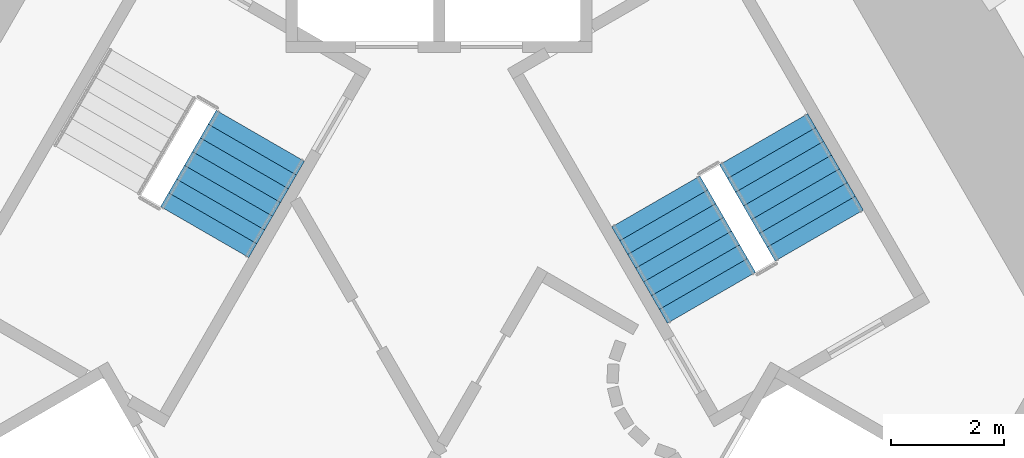
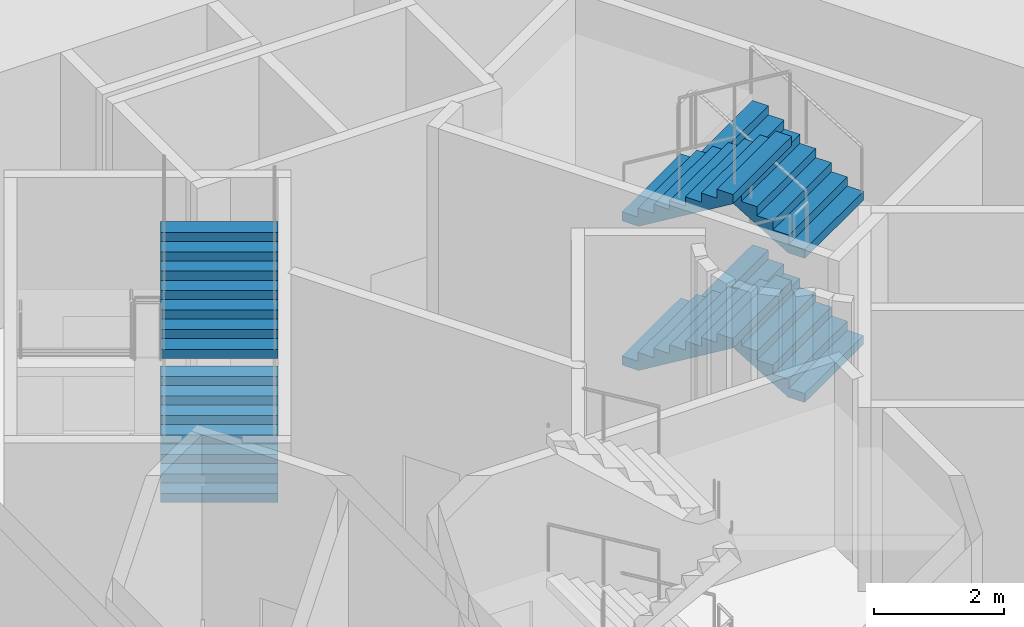
# One storey, part 14 of 21: 6 stair flights, 2 elements without a shape of their own.
"""IFC4 building model written with IfcOpenShell, lengths in metres."""

import ifcopenshell
import ifcopenshell.guid

model = None  # the IFC model being written
_history = None  # IfcOwnerHistory: only IFC2X3 demands one
_inside = {}  # id of a spatial element -> (the spatial element, [elements in it])
_under = {}  # id of a project, library or spatial element -> (it, [spatial elements below it])
_declared = {}  # id of a project -> (the project, [libraries it declares])
_typed = {}  # id of a type object -> (the type object, [elements of that type])
_made_of = {}  # id of a material, layer set ... -> (it, [elements and type objects made of it])


def new_model(schema):
    """Start an empty IFC model of exactly this schema.

    Asked for "IFC4X3", IfcOpenShell would pick the latest addendum, in which some entities
    have other attributes; the version numbers below select the first issue.
    IFC2X3 requires an IfcOwnerHistory on every rooted entity: one is made here for all.
    """
    global model, _history
    if schema == "IFC4X3":
        model = ifcopenshell.file(schema_version=(4, 3, 0, 0))
    else:
        model = ifcopenshell.file(schema=schema)
    _inside.clear()
    _under.clear()
    _declared.clear()
    _typed.clear()
    _made_of.clear()
    _history = None
    if model.schema == "IFC2X3":
        org = make("IfcOrganization", Name="unknown")
        user = make(
            "IfcPersonAndOrganization",
            ThePerson=make("IfcPerson", FamilyName="unknown"),
            TheOrganization=org,
        )
        app = make(
            "IfcApplication",
            ApplicationDeveloper=org,
            Version="unknown",
            ApplicationFullName="unknown",
            ApplicationIdentifier="unknown",
        )
        _history = make(
            "IfcOwnerHistory",
            OwningUser=user,
            OwningApplication=app,
            ChangeAction="ADDED",
            CreationDate=0,
        )
    return model


def make(cls, **values):
    """One entity of the class cls with the attributes given. An attribute that is None is left unset."""
    return model.create_entity(
        cls, **{name: value for name, value in values.items() if value is not None}
    )


def rooted(cls, **values):
    """An entity with a GlobalId (a new one), such as an element, a storey or a relation."""
    return make(cls, GlobalId=ifcopenshell.guid.new(), OwnerHistory=_history, **values)


def si_unit(unit_type, name, prefix=None):
    """IfcSIUnit, for example si_unit("LENGTHUNIT", "METRE", prefix="MILLI")."""
    return make("IfcSIUnit", UnitType=unit_type, Prefix=prefix, Name=name)


def assignment(units):
    """IfcUnitAssignment: the units of a project."""
    return None if units is None else make("IfcUnitAssignment", Units=units)


def point(xyz):
    """IfcCartesianPoint."""
    return None if xyz is None else make("IfcCartesianPoint", Coordinates=xyz)


def direction(xyz):
    """IfcDirection."""
    return None if xyz is None else make("IfcDirection", DirectionRatios=xyz)


def frame(location, z_axis=None, x_axis=None):
    """IfcAxis2Placement3D, a coordinate frame: its origin and axes. An axis left out is left unset."""
    return make(
        "IfcAxis2Placement3D",
        Location=point(location),
        Axis=direction(z_axis),
        RefDirection=direction(x_axis),
    )


def origin():
    """The frame at (0, 0, 0) with its axes left unset."""
    return frame((0.0, 0.0, 0.0))


def place(relative_to, where):
    """IfcLocalPlacement: puts the frame where relative to a parent placement (None: the world)."""
    return make(
        "IfcLocalPlacement", PlacementRelTo=relative_to, RelativePlacement=where
    )


def context(
    kind, dimensions, precision=None, world=None, true_north=None, identifier=None
):
    """IfcGeometricRepresentationContext, for example the 3D "Model" context."""
    return make(
        "IfcGeometricRepresentationContext",
        ContextIdentifier=identifier,
        ContextType=kind,
        CoordinateSpaceDimension=dimensions,
        Precision=precision,
        WorldCoordinateSystem=world,
        TrueNorth=true_north,
    )


def subcontext(parent, identifier, kind, view, scale=None):
    """IfcGeometricRepresentationSubContext, for example "Body" below "Model"."""
    return make(
        "IfcGeometricRepresentationSubContext",
        ContextIdentifier=identifier,
        ContextType=kind,
        ParentContext=parent,
        TargetScale=scale,
        TargetView=view,
    )


def project(units=None, contexts=None):
    """IfcProject with its units and contexts."""
    return rooted(
        "IfcProject",
        Name="project",
        RepresentationContexts=contexts,
        UnitsInContext=assignment(units),
    )


def spatial(cls, under=None, at=None, **own):
    """A site, building, storey or space (cls), placed at a placement, below another one or the project."""
    s = rooted(cls, ObjectPlacement=at, **own)
    if under is not None:
        _under.setdefault(under.id(), (under, []))[1].append(s)
    return s


def point_list(points):
    """IfcCartesianPointList2D or 3D."""
    cls = (
        "IfcCartesianPointList2D" if len(points[0]) == 2 else "IfcCartesianPointList3D"
    )
    return make(cls, CoordList=points)


def triangles(points, corners, closed=None, point_numbers=None):
    """IfcTriangulatedFaceSet: each triangle names its three corners, points numbered from 1."""
    return make(
        "IfcTriangulatedFaceSet",
        Coordinates=point_list(points),
        Closed=closed,
        CoordIndex=corners,
        PnIndex=point_numbers,
    )


def shape(context_of_items, identifier, shape_type, items):
    """IfcShapeRepresentation: the items that make up one representation, for example the "Body"."""
    return make(
        "IfcShapeRepresentation",
        ContextOfItems=context_of_items,
        RepresentationIdentifier=identifier,
        RepresentationType=shape_type,
        Items=items,
    )


def material(Name=None, Category=None):
    """IfcMaterial."""
    return make("IfcMaterial", Name=Name, Category=Category)


def made_of(thing, what):
    """Note that an element or type object is made of a material, layer set ...; save() writes the relation."""
    if what is not None:
        _made_of.setdefault(what.id(), (what, []))[1].append(thing)
    return thing


def type_object(cls, material=None, **own):
    """A type object (cls), such as IfcWallType, which elements share."""
    return made_of(rooted(cls, **own), material)


def element(
    cls,
    number,
    at=None,
    inside=None,
    cuts=None,
    type_object=None,
    material=None,
    context=None,
    identifier="Body",
    shape_type=None,
    held_by="IfcProductDefinitionShape",
    body=None,
    shapes=None,
    **own,
):
    """One element of the class cls, such as IfcWall. Its Tag is "e" and its number.

    at: its placement. inside: the storey or other place that contains it. cuts: it is an
    opening in that element (IfcRelVoidsElement). A single representation is given by context,
    identifier, shape_type and body (its items); several are given by shapes. held_by: the class
    of the entity that holds the representations. save() writes the other relations.
    """
    e = rooted(cls, Tag="e%d" % number, ObjectPlacement=at, **own)
    if body is not None:
        shapes = [shape(context, identifier, shape_type, body)]
    if shapes is not None:
        e.Representation = make(held_by, Representations=shapes)
    if inside is not None:
        _inside.setdefault(inside.id(), (inside, []))[1].append(e)
    if cuts is not None:
        rooted(
            "IfcRelVoidsElement", RelatingBuildingElement=cuts, RelatedOpeningElement=e
        )
    if type_object is not None:
        _typed.setdefault(type_object.id(), (type_object, []))[1].append(e)
    return made_of(e, material)


def aggregate(whole, parts):
    """IfcRelAggregates: a whole, such as a stair, and the parts it consists of."""
    return rooted("IfcRelAggregates", RelatingObject=whole, RelatedObjects=parts)


def save(model, path):
    """Write the relations noted so far, then the file.

    IfcRelAggregates (storeys below a building ...), IfcRelContainedInSpatialStructure (elements
    in a storey), IfcRelDefinesByType, IfcRelAssociatesMaterial and IfcRelDeclares: one each for
    every whole, place, type object, material and project.
    """
    for whole, parts in _under.values():
        aggregate(whole, parts)
    for where, things in _inside.values():
        rooted(
            "IfcRelContainedInSpatialStructure",
            RelatedElements=things,
            RelatingStructure=where,
        )
    for kind, things in _typed.values():
        rooted("IfcRelDefinesByType", RelatedObjects=things, RelatingType=kind)
    for what, things in _made_of.values():
        rooted("IfcRelAssociatesMaterial", RelatedObjects=things, RelatingMaterial=what)
    for by, libraries in _declared.values():
        rooted("IfcRelDeclares", RelatingContext=by, RelatedDefinitions=libraries)
    model.write(path)


model = new_model("IFC4")

# Units and contexts
model_context = context("Model", 3, precision=1e-05, world=origin(), true_north=direction((0.0, 1.0)))
body_context = subcontext(model_context, "Body", "Model", "MODEL_VIEW")
ifc_project = project(units=[si_unit("LENGTHUNIT", "METRE"), si_unit("AREAUNIT", "SQUARE_METRE"), si_unit("VOLUMEUNIT", "CUBIC_METRE"), si_unit("PLANEANGLEUNIT", "RADIAN"), si_unit("MASSUNIT", "GRAM", prefix="KILO")], contexts=[model_context])

# Site, building, storey
site_placement = place(None, origin())
site = spatial("IfcSite", under=ifc_project, at=site_placement, CompositionType="ELEMENT")
building_placement = place(site_placement, origin())
building = spatial("IfcBuilding", under=site, at=building_placement, Name="Entoto Arch Interchange Tower", CompositionType="ELEMENT")
storey_placement = place(building_placement, frame((0.0, 0.0, 236.0)))
storey = spatial("IfcBuildingStorey", under=building, at=storey_placement, Name="L53", CompositionType="ELEMENT", Elevation=236.0)

# Stair, stair flights
ifc_material = material(Name="Concrete C40/50", Category="concrete")
stair_type = type_object("IfcStairType", Name="EXIT STAIR RC 1800", PredefinedType="HALF_TURN_STAIR", material=ifc_material)
stair_1_placement = place(storey_placement, origin())
stair_1 = element("IfcStair", 1, at=stair_1_placement, inside=storey, type_object=stair_type, Name="L53 Exit stair NE", PredefinedType="HALF_TURN_STAIR")
stair_flight_type = type_object("IfcStairFlightType", Name="EXIT STAIR FLIGHT RC 1800", PredefinedType="STRAIGHT", material=ifc_material)
stair_flight_1_placement = place(storey_placement, frame((6.7138671875, 4.470947265625, 0.0), z_axis=(0.0, 0.0, 1.0), x_axis=(-0.5, 0.866025403784, 0.0)))
stair_flight_1 = element("IfcStairFlight", 2, at=stair_flight_1_placement, type_object=stair_flight_type, Name="ST-NE flight 1", NumberOfRisers=8, NumberOfTreads=7, PredefinedType="STRAIGHT", RiserHeight=0.16875, TreadLength=0.28, context=body_context, shape_type="Tessellation", body=[
    triangles([(-0.003, -0.900024, 0.0), (-0.003, -0.900024, 0.16875), (0.28, -0.900024, 0.16875), (0.28, -0.900024, 0.3375), (0.56, -0.900024, 0.3375), (0.56, -0.900024, 0.50625), (0.84, -0.900024, 0.50625), (0.84, -0.900024, 0.675), (1.12, -0.900024, 0.675), (1.12, -0.900024, 0.84375), (1.4, -0.900024, 0.84375), (1.4, -0.900024, 1.0125), (1.68, -0.900024, 1.0125), (1.68, -0.900024, 1.18125), (1.96, -0.900024, 1.18125), (1.963, -0.900024, 1.18125), (1.963, -0.900024, 1.008036), (0.290406, -0.900024, 0.0), (-0.003, 0.900024, 0.0), (-0.003, 0.900024, 0.16875), (0.28, 0.900024, 0.16875), (0.28, 0.900024, 0.3375), (0.56, 0.900024, 0.3375), (0.56, 0.900024, 0.50625), (0.84, 0.900024, 0.50625), (0.84, 0.900024, 0.675), (1.12, 0.900024, 0.675), (1.12, 0.900024, 0.84375), (1.4, 0.900024, 0.84375), (1.4, 0.900024, 1.0125), (1.68, 0.900024, 1.0125), (1.68, 0.900024, 1.18125), (1.96, 0.900024, 1.18125), (1.963, 0.900024, 1.18125), (1.963, 0.900024, 1.008036), (0.290406, 0.900024, 0.0), (-0.003, -0.450012, 0.0), (-0.003, -0.450012, 0.16875), (-0.003, 0.0, 0.0), (-0.003, 0.0, 0.16875), (-0.003, 0.450012, 0.0), (-0.003, 0.450012, 0.16875), (0.28, -0.450012, 0.16875), (0.28, 0.0, 0.16875), (0.28, 0.450012, 0.16875), (0.28, -0.450012, 0.3375), (0.28, 0.0, 0.3375), (0.28, 0.450012, 0.3375), (0.56, -0.450012, 0.3375), (0.56, 0.0, 0.3375), (0.56, 0.450012, 0.3375), (0.56, -0.450012, 0.50625), (0.56, 0.0, 0.50625), (0.56, 0.450012, 0.50625), (0.84, -0.450012, 0.50625), (0.84, 0.0, 0.50625), (0.84, 0.450012, 0.50625), (0.84, -0.450012, 0.675), (0.84, 0.0, 0.675), (0.84, 0.450012, 0.675), (1.12, -0.450012, 0.675), (1.12, 0.0, 0.675), (1.12, 0.450012, 0.675), (1.12, -0.450012, 0.84375), (1.12, 0.0, 0.84375), (1.12, 0.450012, 0.84375), (1.4, -0.450012, 0.84375), (1.4, 0.0, 0.84375), (1.4, 0.450012, 0.84375), (1.4, -0.450012, 1.0125), (1.4, 0.0, 1.0125), (1.4, 0.450012, 1.0125), (1.68, -0.450012, 1.0125), (1.68, 0.0, 1.0125), (1.68, 0.450012, 1.0125), (1.68, -0.450012, 1.18125), (1.68, 0.0, 1.18125), (1.68, 0.450012, 1.18125), (1.96, -0.450012, 1.18125), (1.96, 0.0, 1.18125), (1.96, 0.450012, 1.18125), (1.963, -0.450012, 1.18125), (1.963, 0.0, 1.18125), (1.963, 0.450012, 1.18125), (1.963, -0.450012, 1.008036), (1.963, 0.0, 1.008036), (1.963, 0.450012, 1.008036), (0.290406, -0.450012, 0.0), (0.290406, 0.0, 0.0), (0.290406, 0.450012, 0.0)], [[1, 18, 17], [17, 16, 15], [17, 15, 14], [17, 14, 13], [17, 13, 12], [17, 12, 11], [11, 10, 9], [17, 11, 9], [9, 8, 7], [17, 9, 7], [7, 6, 5], [17, 7, 5], [5, 4, 3], [17, 5, 3], [1, 17, 3], [3, 2, 1], [19, 35, 36], [35, 33, 34], [35, 32, 33], [35, 31, 32], [35, 30, 31], [35, 29, 30], [29, 27, 28], [35, 27, 29], [27, 25, 26], [35, 25, 27], [25, 23, 24], [35, 23, 25], [23, 21, 22], [35, 21, 23], [19, 21, 35], [21, 19, 20], [1, 2, 38], [1, 38, 37], [37, 38, 40], [37, 40, 39], [39, 40, 42], [39, 42, 41], [41, 42, 20], [41, 20, 19], [2, 3, 43], [2, 43, 38], [38, 43, 44], [38, 44, 40], [40, 44, 45], [40, 45, 42], [42, 45, 21], [42, 21, 20], [3, 4, 46], [3, 46, 43], [43, 46, 47], [43, 47, 44], [44, 47, 48], [44, 48, 45], [45, 48, 22], [45, 22, 21], [4, 5, 49], [4, 49, 46], [46, 49, 50], [46, 50, 47], [47, 50, 51], [47, 51, 48], [48, 51, 23], [48, 23, 22], [5, 6, 52], [5, 52, 49], [49, 52, 53], [49, 53, 50], [50, 53, 54], [50, 54, 51], [51, 54, 24], [51, 24, 23], [6, 7, 55], [6, 55, 52], [52, 55, 56], [52, 56, 53], [53, 56, 57], [53, 57, 54], [54, 57, 25], [54, 25, 24], [7, 8, 58], [7, 58, 55], [55, 58, 59], [55, 59, 56], [56, 59, 60], [56, 60, 57], [57, 60, 26], [57, 26, 25], [8, 9, 61], [8, 61, 58], [58, 61, 62], [58, 62, 59], [59, 62, 63], [59, 63, 60], [60, 63, 27], [60, 27, 26], [9, 10, 64], [9, 64, 61], [61, 64, 65], [61, 65, 62], [62, 65, 66], [62, 66, 63], [63, 66, 28], [63, 28, 27], [10, 11, 67], [10, 67, 64], [64, 67, 68], [64, 68, 65], [65, 68, 69], [65, 69, 66], [66, 69, 29], [66, 29, 28], [11, 12, 70], [11, 70, 67], [67, 70, 71], [67, 71, 68], [68, 71, 72], [68, 72, 69], [69, 72, 30], [69, 30, 29], [12, 13, 73], [12, 73, 70], [70, 73, 74], [70, 74, 71], [71, 74, 75], [71, 75, 72], [72, 75, 31], [72, 31, 30], [13, 14, 76], [13, 76, 73], [73, 76, 77], [73, 77, 74], [74, 77, 78], [74, 78, 75], [75, 78, 32], [75, 32, 31], [14, 15, 79], [14, 79, 76], [76, 79, 80], [76, 80, 77], [77, 80, 81], [77, 81, 78], [78, 81, 33], [78, 33, 32], [15, 16, 82], [15, 82, 79], [79, 82, 83], [79, 83, 80], [80, 83, 84], [80, 84, 81], [81, 84, 34], [81, 34, 33], [16, 17, 85], [16, 85, 82], [82, 85, 86], [82, 86, 83], [83, 86, 87], [83, 87, 84], [84, 87, 35], [84, 35, 34], [17, 18, 88], [17, 88, 85], [85, 88, 89], [85, 89, 86], [86, 89, 90], [86, 90, 87], [87, 90, 36], [87, 36, 35], [18, 1, 37], [18, 37, 88], [88, 37, 39], [88, 39, 89], [89, 39, 41], [89, 41, 90], [90, 41, 19], [90, 19, 36]], closed=True),
])
stair_flight_2_placement = place(storey_placement, frame((3.82861328125, 5.068359375, 1.35009765625), z_axis=(0.0, 0.0, 1.0), x_axis=(0.5, -0.866025403784, 0.0)))
stair_flight_2 = element("IfcStairFlight", 3, at=stair_flight_2_placement, type_object=stair_flight_type, Name="ST-NE flight 2", NumberOfRisers=8, NumberOfTreads=7, PredefinedType="STRAIGHT", RiserHeight=0.16875, TreadLength=0.28, context=body_context, shape_type="Tessellation", body=[
    triangles([(-0.003, -0.900024, 0.0), (-0.003, -0.900024, 0.16875), (0.28, -0.900024, 0.16875), (0.28, -0.900024, 0.3375), (0.56, -0.900024, 0.3375), (0.56, -0.900024, 0.50625), (0.84, -0.900024, 0.50625), (0.84, -0.900024, 0.675), (1.12, -0.900024, 0.675), (1.12, -0.900024, 0.84375), (1.4, -0.900024, 0.84375), (1.4, -0.900024, 1.0125), (1.68, -0.900024, 1.0125), (1.68, -0.900024, 1.18125), (1.96, -0.900024, 1.18125), (1.963, -0.900024, 1.18125), (1.963, -0.900024, 1.008036), (0.290406, -0.900024, 0.0), (-0.003, 0.900024, 0.0), (-0.003, 0.900024, 0.16875), (0.28, 0.900024, 0.16875), (0.28, 0.900024, 0.3375), (0.56, 0.900024, 0.3375), (0.56, 0.900024, 0.50625), (0.84, 0.900024, 0.50625), (0.84, 0.900024, 0.675), (1.12, 0.900024, 0.675), (1.12, 0.900024, 0.84375), (1.4, 0.900024, 0.84375), (1.4, 0.900024, 1.0125), (1.68, 0.900024, 1.0125), (1.68, 0.900024, 1.18125), (1.96, 0.900024, 1.18125), (1.963, 0.900024, 1.18125), (1.963, 0.900024, 1.008036), (0.290406, 0.900024, 0.0), (-0.003, -0.450012, 0.0), (-0.003, -0.450012, 0.16875), (-0.003, 0.0, 0.0), (-0.003, 0.0, 0.16875), (-0.003, 0.450012, 0.0), (-0.003, 0.450012, 0.16875), (0.28, -0.450012, 0.16875), (0.28, 0.0, 0.16875), (0.28, 0.450012, 0.16875), (0.28, -0.450012, 0.3375), (0.28, 0.0, 0.3375), (0.28, 0.450012, 0.3375), (0.56, -0.450012, 0.3375), (0.56, 0.0, 0.3375), (0.56, 0.450012, 0.3375), (0.56, -0.450012, 0.50625), (0.56, 0.0, 0.50625), (0.56, 0.450012, 0.50625), (0.84, -0.450012, 0.50625), (0.84, 0.0, 0.50625), (0.84, 0.450012, 0.50625), (0.84, -0.450012, 0.675), (0.84, 0.0, 0.675), (0.84, 0.450012, 0.675), (1.12, -0.450012, 0.675), (1.12, 0.0, 0.675), (1.12, 0.450012, 0.675), (1.12, -0.450012, 0.84375), (1.12, 0.0, 0.84375), (1.12, 0.450012, 0.84375), (1.4, -0.450012, 0.84375), (1.4, 0.0, 0.84375), (1.4, 0.450012, 0.84375), (1.4, -0.450012, 1.0125), (1.4, 0.0, 1.0125), (1.4, 0.450012, 1.0125), (1.68, -0.450012, 1.0125), (1.68, 0.0, 1.0125), (1.68, 0.450012, 1.0125), (1.68, -0.450012, 1.18125), (1.68, 0.0, 1.18125), (1.68, 0.450012, 1.18125), (1.96, -0.450012, 1.18125), (1.96, 0.0, 1.18125), (1.96, 0.450012, 1.18125), (1.963, -0.450012, 1.18125), (1.963, 0.0, 1.18125), (1.963, 0.450012, 1.18125), (1.963, -0.450012, 1.008036), (1.963, 0.0, 1.008036), (1.963, 0.450012, 1.008036), (0.290406, -0.450012, 0.0), (0.290406, 0.0, 0.0), (0.290406, 0.450012, 0.0)], [[1, 18, 17], [17, 16, 15], [17, 15, 14], [17, 14, 13], [17, 13, 12], [17, 12, 11], [11, 10, 9], [17, 11, 9], [9, 8, 7], [17, 9, 7], [7, 6, 5], [17, 7, 5], [5, 4, 3], [17, 5, 3], [1, 17, 3], [3, 2, 1], [19, 35, 36], [35, 33, 34], [35, 32, 33], [35, 31, 32], [35, 30, 31], [35, 29, 30], [29, 27, 28], [35, 27, 29], [27, 25, 26], [35, 25, 27], [25, 23, 24], [35, 23, 25], [23, 21, 22], [35, 21, 23], [19, 21, 35], [21, 19, 20], [1, 2, 38], [1, 38, 37], [37, 38, 40], [37, 40, 39], [39, 40, 42], [39, 42, 41], [41, 42, 20], [41, 20, 19], [2, 3, 43], [2, 43, 38], [38, 43, 44], [38, 44, 40], [40, 44, 45], [40, 45, 42], [42, 45, 21], [42, 21, 20], [3, 4, 46], [3, 46, 43], [43, 46, 47], [43, 47, 44], [44, 47, 48], [44, 48, 45], [45, 48, 22], [45, 22, 21], [4, 5, 49], [4, 49, 46], [46, 49, 50], [46, 50, 47], [47, 50, 51], [47, 51, 48], [48, 51, 23], [48, 23, 22], [5, 6, 52], [5, 52, 49], [49, 52, 53], [49, 53, 50], [50, 53, 54], [50, 54, 51], [51, 54, 24], [51, 24, 23], [6, 7, 55], [6, 55, 52], [52, 55, 56], [52, 56, 53], [53, 56, 57], [53, 57, 54], [54, 57, 25], [54, 25, 24], [7, 8, 58], [7, 58, 55], [55, 58, 59], [55, 59, 56], [56, 59, 60], [56, 60, 57], [57, 60, 26], [57, 26, 25], [8, 9, 61], [8, 61, 58], [58, 61, 62], [58, 62, 59], [59, 62, 63], [59, 63, 60], [60, 63, 27], [60, 27, 26], [9, 10, 64], [9, 64, 61], [61, 64, 65], [61, 65, 62], [62, 65, 66], [62, 66, 63], [63, 66, 28], [63, 28, 27], [10, 11, 67], [10, 67, 64], [64, 67, 68], [64, 68, 65], [65, 68, 69], [65, 69, 66], [66, 69, 29], [66, 29, 28], [11, 12, 70], [11, 70, 67], [67, 70, 71], [67, 71, 68], [68, 71, 72], [68, 72, 69], [69, 72, 30], [69, 30, 29], [12, 13, 73], [12, 73, 70], [70, 73, 74], [70, 74, 71], [71, 74, 75], [71, 75, 72], [72, 75, 31], [72, 31, 30], [13, 14, 76], [13, 76, 73], [73, 76, 77], [73, 77, 74], [74, 77, 78], [74, 78, 75], [75, 78, 32], [75, 32, 31], [14, 15, 79], [14, 79, 76], [76, 79, 80], [76, 80, 77], [77, 80, 81], [77, 81, 78], [78, 81, 33], [78, 33, 32], [15, 16, 82], [15, 82, 79], [79, 82, 83], [79, 83, 80], [80, 83, 84], [80, 84, 81], [81, 84, 34], [81, 34, 33], [16, 17, 85], [16, 85, 82], [82, 85, 86], [82, 86, 83], [83, 86, 87], [83, 87, 84], [84, 87, 35], [84, 35, 34], [17, 18, 88], [17, 88, 85], [85, 88, 89], [85, 89, 86], [86, 89, 90], [86, 90, 87], [87, 90, 36], [87, 36, 35], [18, 1, 37], [18, 37, 88], [88, 37, 39], [88, 39, 89], [89, 39, 41], [89, 41, 90], [90, 41, 19], [90, 19, 36]], closed=True),
])
stair_flight_3_placement = place(storey_placement, frame((6.7138671875, 4.470947265625, 2.699951171875), z_axis=(0.0, 0.0, 1.0), x_axis=(-0.5, 0.866025403784, 0.0)))
stair_flight_3 = element("IfcStairFlight", 4, at=stair_flight_3_placement, type_object=stair_flight_type, Name="ST-NE flight 3", NumberOfRisers=8, NumberOfTreads=7, PredefinedType="STRAIGHT", RiserHeight=0.16875, TreadLength=0.28, context=body_context, shape_type="Tessellation", body=[
    triangles([(-0.003, -0.900024, 0.0), (-0.003, -0.900024, 0.16875), (0.28, -0.900024, 0.16875), (0.28, -0.900024, 0.3375), (0.56, -0.900024, 0.3375), (0.56, -0.900024, 0.50625), (0.84, -0.900024, 0.50625), (0.84, -0.900024, 0.675), (1.12, -0.900024, 0.675), (1.12, -0.900024, 0.84375), (1.4, -0.900024, 0.84375), (1.4, -0.900024, 1.0125), (1.68, -0.900024, 1.0125), (1.68, -0.900024, 1.18125), (1.96, -0.900024, 1.18125), (1.963, -0.900024, 1.18125), (1.963, -0.900024, 1.008036), (0.290406, -0.900024, 0.0), (-0.003, 0.900024, 0.0), (-0.003, 0.900024, 0.16875), (0.28, 0.900024, 0.16875), (0.28, 0.900024, 0.3375), (0.56, 0.900024, 0.3375), (0.56, 0.900024, 0.50625), (0.84, 0.900024, 0.50625), (0.84, 0.900024, 0.675), (1.12, 0.900024, 0.675), (1.12, 0.900024, 0.84375), (1.4, 0.900024, 0.84375), (1.4, 0.900024, 1.0125), (1.68, 0.900024, 1.0125), (1.68, 0.900024, 1.18125), (1.96, 0.900024, 1.18125), (1.963, 0.900024, 1.18125), (1.963, 0.900024, 1.008036), (0.290406, 0.900024, 0.0), (-0.003, -0.450012, 0.0), (-0.003, -0.450012, 0.16875), (-0.003, 0.0, 0.0), (-0.003, 0.0, 0.16875), (-0.003, 0.450012, 0.0), (-0.003, 0.450012, 0.16875), (0.28, -0.450012, 0.16875), (0.28, 0.0, 0.16875), (0.28, 0.450012, 0.16875), (0.28, -0.450012, 0.3375), (0.28, 0.0, 0.3375), (0.28, 0.450012, 0.3375), (0.56, -0.450012, 0.3375), (0.56, 0.0, 0.3375), (0.56, 0.450012, 0.3375), (0.56, -0.450012, 0.50625), (0.56, 0.0, 0.50625), (0.56, 0.450012, 0.50625), (0.84, -0.450012, 0.50625), (0.84, 0.0, 0.50625), (0.84, 0.450012, 0.50625), (0.84, -0.450012, 0.675), (0.84, 0.0, 0.675), (0.84, 0.450012, 0.675), (1.12, -0.450012, 0.675), (1.12, 0.0, 0.675), (1.12, 0.450012, 0.675), (1.12, -0.450012, 0.84375), (1.12, 0.0, 0.84375), (1.12, 0.450012, 0.84375), (1.4, -0.450012, 0.84375), (1.4, 0.0, 0.84375), (1.4, 0.450012, 0.84375), (1.4, -0.450012, 1.0125), (1.4, 0.0, 1.0125), (1.4, 0.450012, 1.0125), (1.68, -0.450012, 1.0125), (1.68, 0.0, 1.0125), (1.68, 0.450012, 1.0125), (1.68, -0.450012, 1.18125), (1.68, 0.0, 1.18125), (1.68, 0.450012, 1.18125), (1.96, -0.450012, 1.18125), (1.96, 0.0, 1.18125), (1.96, 0.450012, 1.18125), (1.963, -0.450012, 1.18125), (1.963, 0.0, 1.18125), (1.963, 0.450012, 1.18125), (1.963, -0.450012, 1.008036), (1.963, 0.0, 1.008036), (1.963, 0.450012, 1.008036), (0.290406, -0.450012, 0.0), (0.290406, 0.0, 0.0), (0.290406, 0.450012, 0.0)], [[1, 18, 17], [17, 16, 15], [17, 15, 14], [17, 14, 13], [17, 13, 12], [17, 12, 11], [11, 10, 9], [17, 11, 9], [9, 8, 7], [17, 9, 7], [7, 6, 5], [17, 7, 5], [5, 4, 3], [17, 5, 3], [1, 17, 3], [3, 2, 1], [19, 35, 36], [35, 33, 34], [35, 32, 33], [35, 31, 32], [35, 30, 31], [35, 29, 30], [29, 27, 28], [35, 27, 29], [27, 25, 26], [35, 25, 27], [25, 23, 24], [35, 23, 25], [23, 21, 22], [35, 21, 23], [19, 21, 35], [21, 19, 20], [1, 2, 38], [1, 38, 37], [37, 38, 40], [37, 40, 39], [39, 40, 42], [39, 42, 41], [41, 42, 20], [41, 20, 19], [2, 3, 43], [2, 43, 38], [38, 43, 44], [38, 44, 40], [40, 44, 45], [40, 45, 42], [42, 45, 21], [42, 21, 20], [3, 4, 46], [3, 46, 43], [43, 46, 47], [43, 47, 44], [44, 47, 48], [44, 48, 45], [45, 48, 22], [45, 22, 21], [4, 5, 49], [4, 49, 46], [46, 49, 50], [46, 50, 47], [47, 50, 51], [47, 51, 48], [48, 51, 23], [48, 23, 22], [5, 6, 52], [5, 52, 49], [49, 52, 53], [49, 53, 50], [50, 53, 54], [50, 54, 51], [51, 54, 24], [51, 24, 23], [6, 7, 55], [6, 55, 52], [52, 55, 56], [52, 56, 53], [53, 56, 57], [53, 57, 54], [54, 57, 25], [54, 25, 24], [7, 8, 58], [7, 58, 55], [55, 58, 59], [55, 59, 56], [56, 59, 60], [56, 60, 57], [57, 60, 26], [57, 26, 25], [8, 9, 61], [8, 61, 58], [58, 61, 62], [58, 62, 59], [59, 62, 63], [59, 63, 60], [60, 63, 27], [60, 27, 26], [9, 10, 64], [9, 64, 61], [61, 64, 65], [61, 65, 62], [62, 65, 66], [62, 66, 63], [63, 66, 28], [63, 28, 27], [10, 11, 67], [10, 67, 64], [64, 67, 68], [64, 68, 65], [65, 68, 69], [65, 69, 66], [66, 69, 29], [66, 29, 28], [11, 12, 70], [11, 70, 67], [67, 70, 71], [67, 71, 68], [68, 71, 72], [68, 72, 69], [69, 72, 30], [69, 30, 29], [12, 13, 73], [12, 73, 70], [70, 73, 74], [70, 74, 71], [71, 74, 75], [71, 75, 72], [72, 75, 31], [72, 31, 30], [13, 14, 76], [13, 76, 73], [73, 76, 77], [73, 77, 74], [74, 77, 78], [74, 78, 75], [75, 78, 32], [75, 32, 31], [14, 15, 79], [14, 79, 76], [76, 79, 80], [76, 80, 77], [77, 80, 81], [77, 81, 78], [78, 81, 33], [78, 33, 32], [15, 16, 82], [15, 82, 79], [79, 82, 83], [79, 83, 80], [80, 83, 84], [80, 84, 81], [81, 84, 34], [81, 34, 33], [16, 17, 85], [16, 85, 82], [82, 85, 86], [82, 86, 83], [83, 86, 87], [83, 87, 84], [84, 87, 35], [84, 35, 34], [17, 18, 88], [17, 88, 85], [85, 88, 89], [85, 89, 86], [86, 89, 90], [86, 90, 87], [87, 90, 36], [87, 36, 35], [18, 1, 37], [18, 37, 88], [88, 37, 39], [88, 39, 89], [89, 39, 41], [89, 41, 90], [90, 41, 19], [90, 19, 36]], closed=True),
])
stair_flight_4_placement = place(storey_placement, frame((3.82861328125, 5.068359375, 4.050048828125), z_axis=(0.0, 0.0, 1.0), x_axis=(0.5, -0.866025403784, 0.0)))
stair_flight_4 = element("IfcStairFlight", 5, at=stair_flight_4_placement, type_object=stair_flight_type, Name="ST-NE flight 4", NumberOfRisers=8, NumberOfTreads=7, PredefinedType="STRAIGHT", RiserHeight=0.16875, TreadLength=0.28, context=body_context, shape_type="Tessellation", body=[
    triangles([(-0.003, -0.900024, 0.0), (-0.003, -0.900024, 0.16875), (0.28, -0.900024, 0.16875), (0.28, -0.900024, 0.3375), (0.56, -0.900024, 0.3375), (0.56, -0.900024, 0.50625), (0.84, -0.900024, 0.50625), (0.84, -0.900024, 0.675), (1.12, -0.900024, 0.675), (1.12, -0.900024, 0.84375), (1.4, -0.900024, 0.84375), (1.4, -0.900024, 1.0125), (1.68, -0.900024, 1.0125), (1.68, -0.900024, 1.18125), (1.96, -0.900024, 1.18125), (1.963, -0.900024, 1.18125), (1.963, -0.900024, 1.008036), (0.290406, -0.900024, 0.0), (-0.003, 0.900024, 0.0), (-0.003, 0.900024, 0.16875), (0.28, 0.900024, 0.16875), (0.28, 0.900024, 0.3375), (0.56, 0.900024, 0.3375), (0.56, 0.900024, 0.50625), (0.84, 0.900024, 0.50625), (0.84, 0.900024, 0.675), (1.12, 0.900024, 0.675), (1.12, 0.900024, 0.84375), (1.4, 0.900024, 0.84375), (1.4, 0.900024, 1.0125), (1.68, 0.900024, 1.0125), (1.68, 0.900024, 1.18125), (1.96, 0.900024, 1.18125), (1.963, 0.900024, 1.18125), (1.963, 0.900024, 1.008036), (0.290406, 0.900024, 0.0), (-0.003, -0.450012, 0.0), (-0.003, -0.450012, 0.16875), (-0.003, 0.0, 0.0), (-0.003, 0.0, 0.16875), (-0.003, 0.450012, 0.0), (-0.003, 0.450012, 0.16875), (0.28, -0.450012, 0.16875), (0.28, 0.0, 0.16875), (0.28, 0.450012, 0.16875), (0.28, -0.450012, 0.3375), (0.28, 0.0, 0.3375), (0.28, 0.450012, 0.3375), (0.56, -0.450012, 0.3375), (0.56, 0.0, 0.3375), (0.56, 0.450012, 0.3375), (0.56, -0.450012, 0.50625), (0.56, 0.0, 0.50625), (0.56, 0.450012, 0.50625), (0.84, -0.450012, 0.50625), (0.84, 0.0, 0.50625), (0.84, 0.450012, 0.50625), (0.84, -0.450012, 0.675), (0.84, 0.0, 0.675), (0.84, 0.450012, 0.675), (1.12, -0.450012, 0.675), (1.12, 0.0, 0.675), (1.12, 0.450012, 0.675), (1.12, -0.450012, 0.84375), (1.12, 0.0, 0.84375), (1.12, 0.450012, 0.84375), (1.4, -0.450012, 0.84375), (1.4, 0.0, 0.84375), (1.4, 0.450012, 0.84375), (1.4, -0.450012, 1.0125), (1.4, 0.0, 1.0125), (1.4, 0.450012, 1.0125), (1.68, -0.450012, 1.0125), (1.68, 0.0, 1.0125), (1.68, 0.450012, 1.0125), (1.68, -0.450012, 1.18125), (1.68, 0.0, 1.18125), (1.68, 0.450012, 1.18125), (1.96, -0.450012, 1.18125), (1.96, 0.0, 1.18125), (1.96, 0.450012, 1.18125), (1.963, -0.450012, 1.18125), (1.963, 0.0, 1.18125), (1.963, 0.450012, 1.18125), (1.963, -0.450012, 1.008036), (1.963, 0.0, 1.008036), (1.963, 0.450012, 1.008036), (0.290406, -0.450012, 0.0), (0.290406, 0.0, 0.0), (0.290406, 0.450012, 0.0)], [[1, 18, 17], [17, 16, 15], [17, 15, 14], [17, 14, 13], [17, 13, 12], [17, 12, 11], [11, 10, 9], [17, 11, 9], [9, 8, 7], [17, 9, 7], [7, 6, 5], [17, 7, 5], [5, 4, 3], [17, 5, 3], [1, 17, 3], [3, 2, 1], [19, 35, 36], [35, 33, 34], [35, 32, 33], [35, 31, 32], [35, 30, 31], [35, 29, 30], [29, 27, 28], [35, 27, 29], [27, 25, 26], [35, 25, 27], [25, 23, 24], [35, 23, 25], [23, 21, 22], [35, 21, 23], [19, 21, 35], [21, 19, 20], [1, 2, 38], [1, 38, 37], [37, 38, 40], [37, 40, 39], [39, 40, 42], [39, 42, 41], [41, 42, 20], [41, 20, 19], [2, 3, 43], [2, 43, 38], [38, 43, 44], [38, 44, 40], [40, 44, 45], [40, 45, 42], [42, 45, 21], [42, 21, 20], [3, 4, 46], [3, 46, 43], [43, 46, 47], [43, 47, 44], [44, 47, 48], [44, 48, 45], [45, 48, 22], [45, 22, 21], [4, 5, 49], [4, 49, 46], [46, 49, 50], [46, 50, 47], [47, 50, 51], [47, 51, 48], [48, 51, 23], [48, 23, 22], [5, 6, 52], [5, 52, 49], [49, 52, 53], [49, 53, 50], [50, 53, 54], [50, 54, 51], [51, 54, 24], [51, 24, 23], [6, 7, 55], [6, 55, 52], [52, 55, 56], [52, 56, 53], [53, 56, 57], [53, 57, 54], [54, 57, 25], [54, 25, 24], [7, 8, 58], [7, 58, 55], [55, 58, 59], [55, 59, 56], [56, 59, 60], [56, 60, 57], [57, 60, 26], [57, 26, 25], [8, 9, 61], [8, 61, 58], [58, 61, 62], [58, 62, 59], [59, 62, 63], [59, 63, 60], [60, 63, 27], [60, 27, 26], [9, 10, 64], [9, 64, 61], [61, 64, 65], [61, 65, 62], [62, 65, 66], [62, 66, 63], [63, 66, 28], [63, 28, 27], [10, 11, 67], [10, 67, 64], [64, 67, 68], [64, 68, 65], [65, 68, 69], [65, 69, 66], [66, 69, 29], [66, 29, 28], [11, 12, 70], [11, 70, 67], [67, 70, 71], [67, 71, 68], [68, 71, 72], [68, 72, 69], [69, 72, 30], [69, 30, 29], [12, 13, 73], [12, 73, 70], [70, 73, 74], [70, 74, 71], [71, 74, 75], [71, 75, 72], [72, 75, 31], [72, 31, 30], [13, 14, 76], [13, 76, 73], [73, 76, 77], [73, 77, 74], [74, 77, 78], [74, 78, 75], [75, 78, 32], [75, 32, 31], [14, 15, 79], [14, 79, 76], [76, 79, 80], [76, 80, 77], [77, 80, 81], [77, 81, 78], [78, 81, 33], [78, 33, 32], [15, 16, 82], [15, 82, 79], [79, 82, 83], [79, 83, 80], [80, 83, 84], [80, 84, 81], [81, 84, 34], [81, 34, 33], [16, 17, 85], [16, 85, 82], [82, 85, 86], [82, 86, 83], [83, 86, 87], [83, 87, 84], [84, 87, 35], [84, 35, 34], [17, 18, 88], [17, 88, 85], [85, 88, 89], [85, 89, 86], [86, 89, 90], [86, 90, 87], [87, 90, 36], [87, 36, 35], [18, 1, 37], [18, 37, 88], [88, 37, 39], [88, 39, 89], [89, 39, 41], [89, 41, 90], [90, 41, 19], [90, 19, 36]], closed=True),
])
aggregate(stair_1, [stair_flight_1, stair_flight_2, stair_flight_3, stair_flight_4])

stair_2_placement = place(storey_placement, origin())
stair_2 = element("IfcStair", 6, at=stair_2_placement, inside=storey, type_object=stair_type, Name="L53 Exit stair NW", PredefinedType="HALF_TURN_STAIR")
stair_flight_5_placement = place(storey_placement, frame((-4.138671875, 4.531494140625, 1.35009765625), z_axis=(0.0, 0.0, 1.0), x_axis=(0.5, 0.866025403784, 0.0)))
stair_flight_5 = element("IfcStairFlight", 7, at=stair_flight_5_placement, type_object=stair_flight_type, Name="ST-NW flight 2", NumberOfRisers=8, NumberOfTreads=7, PredefinedType="STRAIGHT", RiserHeight=0.16875, TreadLength=0.28, context=body_context, shape_type="Tessellation", body=[
    triangles([(-0.003, -0.900024, 0.0), (-0.003, -0.900024, 0.16875), (0.28, -0.900024, 0.16875), (0.28, -0.900024, 0.3375), (0.56, -0.900024, 0.3375), (0.56, -0.900024, 0.50625), (0.84, -0.900024, 0.50625), (0.84, -0.900024, 0.675), (1.12, -0.900024, 0.675), (1.12, -0.900024, 0.84375), (1.4, -0.900024, 0.84375), (1.4, -0.900024, 1.0125), (1.68, -0.900024, 1.0125), (1.68, -0.900024, 1.18125), (1.96, -0.900024, 1.18125), (1.963, -0.900024, 1.18125), (1.963, -0.900024, 1.008036), (0.290406, -0.900024, 0.0), (-0.003, 0.900024, 0.0), (-0.003, 0.900024, 0.16875), (0.28, 0.900024, 0.16875), (0.28, 0.900024, 0.3375), (0.56, 0.900024, 0.3375), (0.56, 0.900024, 0.50625), (0.84, 0.900024, 0.50625), (0.84, 0.900024, 0.675), (1.12, 0.900024, 0.675), (1.12, 0.900024, 0.84375), (1.4, 0.900024, 0.84375), (1.4, 0.900024, 1.0125), (1.68, 0.900024, 1.0125), (1.68, 0.900024, 1.18125), (1.96, 0.900024, 1.18125), (1.963, 0.900024, 1.18125), (1.963, 0.900024, 1.008036), (0.290406, 0.900024, 0.0), (-0.003, -0.450012, 0.0), (-0.003, -0.450012, 0.16875), (-0.003, 0.0, 0.0), (-0.003, 0.0, 0.16875), (-0.003, 0.450012, 0.0), (-0.003, 0.450012, 0.16875), (0.28, -0.450012, 0.16875), (0.28, 0.0, 0.16875), (0.28, 0.450012, 0.16875), (0.28, -0.450012, 0.3375), (0.28, 0.0, 0.3375), (0.28, 0.450012, 0.3375), (0.56, -0.450012, 0.3375), (0.56, 0.0, 0.3375), (0.56, 0.450012, 0.3375), (0.56, -0.450012, 0.50625), (0.56, 0.0, 0.50625), (0.56, 0.450012, 0.50625), (0.84, -0.450012, 0.50625), (0.84, 0.0, 0.50625), (0.84, 0.450012, 0.50625), (0.84, -0.450012, 0.675), (0.84, 0.0, 0.675), (0.84, 0.450012, 0.675), (1.12, -0.450012, 0.675), (1.12, 0.0, 0.675), (1.12, 0.450012, 0.675), (1.12, -0.450012, 0.84375), (1.12, 0.0, 0.84375), (1.12, 0.450012, 0.84375), (1.4, -0.450012, 0.84375), (1.4, 0.0, 0.84375), (1.4, 0.450012, 0.84375), (1.4, -0.450012, 1.0125), (1.4, 0.0, 1.0125), (1.4, 0.450012, 1.0125), (1.68, -0.450012, 1.0125), (1.68, 0.0, 1.0125), (1.68, 0.450012, 1.0125), (1.68, -0.450012, 1.18125), (1.68, 0.0, 1.18125), (1.68, 0.450012, 1.18125), (1.96, -0.450012, 1.18125), (1.96, 0.0, 1.18125), (1.96, 0.450012, 1.18125), (1.963, -0.450012, 1.18125), (1.963, 0.0, 1.18125), (1.963, 0.450012, 1.18125), (1.963, -0.450012, 1.008036), (1.963, 0.0, 1.008036), (1.963, 0.450012, 1.008036), (0.290406, -0.450012, 0.0), (0.290406, 0.0, 0.0), (0.290406, 0.450012, 0.0)], [[1, 18, 17], [17, 16, 15], [17, 15, 14], [17, 14, 13], [17, 13, 12], [17, 12, 11], [11, 10, 9], [17, 11, 9], [9, 8, 7], [17, 9, 7], [7, 6, 5], [17, 7, 5], [5, 4, 3], [17, 5, 3], [1, 17, 3], [3, 2, 1], [19, 35, 36], [35, 33, 34], [35, 32, 33], [35, 31, 32], [35, 30, 31], [35, 29, 30], [29, 27, 28], [35, 27, 29], [27, 25, 26], [35, 25, 27], [25, 23, 24], [35, 23, 25], [23, 21, 22], [35, 21, 23], [19, 21, 35], [21, 19, 20], [1, 2, 38], [1, 38, 37], [37, 38, 40], [37, 40, 39], [39, 40, 42], [39, 42, 41], [41, 42, 20], [41, 20, 19], [2, 3, 43], [2, 43, 38], [38, 43, 44], [38, 44, 40], [40, 44, 45], [40, 45, 42], [42, 45, 21], [42, 21, 20], [3, 4, 46], [3, 46, 43], [43, 46, 47], [43, 47, 44], [44, 47, 48], [44, 48, 45], [45, 48, 22], [45, 22, 21], [4, 5, 49], [4, 49, 46], [46, 49, 50], [46, 50, 47], [47, 50, 51], [47, 51, 48], [48, 51, 23], [48, 23, 22], [5, 6, 52], [5, 52, 49], [49, 52, 53], [49, 53, 50], [50, 53, 54], [50, 54, 51], [51, 54, 24], [51, 24, 23], [6, 7, 55], [6, 55, 52], [52, 55, 56], [52, 56, 53], [53, 56, 57], [53, 57, 54], [54, 57, 25], [54, 25, 24], [7, 8, 58], [7, 58, 55], [55, 58, 59], [55, 59, 56], [56, 59, 60], [56, 60, 57], [57, 60, 26], [57, 26, 25], [8, 9, 61], [8, 61, 58], [58, 61, 62], [58, 62, 59], [59, 62, 63], [59, 63, 60], [60, 63, 27], [60, 27, 26], [9, 10, 64], [9, 64, 61], [61, 64, 65], [61, 65, 62], [62, 65, 66], [62, 66, 63], [63, 66, 28], [63, 28, 27], [10, 11, 67], [10, 67, 64], [64, 67, 68], [64, 68, 65], [65, 68, 69], [65, 69, 66], [66, 69, 29], [66, 29, 28], [11, 12, 70], [11, 70, 67], [67, 70, 71], [67, 71, 68], [68, 71, 72], [68, 72, 69], [69, 72, 30], [69, 30, 29], [12, 13, 73], [12, 73, 70], [70, 73, 74], [70, 74, 71], [71, 74, 75], [71, 75, 72], [72, 75, 31], [72, 31, 30], [13, 14, 76], [13, 76, 73], [73, 76, 77], [73, 77, 74], [74, 77, 78], [74, 78, 75], [75, 78, 32], [75, 32, 31], [14, 15, 79], [14, 79, 76], [76, 79, 80], [76, 80, 77], [77, 80, 81], [77, 81, 78], [78, 81, 33], [78, 33, 32], [15, 16, 82], [15, 82, 79], [79, 82, 83], [79, 83, 80], [80, 83, 84], [80, 84, 81], [81, 84, 34], [81, 34, 33], [16, 17, 85], [16, 85, 82], [82, 85, 86], [82, 86, 83], [83, 86, 87], [83, 87, 84], [84, 87, 35], [84, 35, 34], [17, 18, 88], [17, 88, 85], [85, 88, 89], [85, 89, 86], [86, 89, 90], [86, 90, 87], [87, 90, 36], [87, 36, 35], [18, 1, 37], [18, 37, 88], [88, 37, 39], [88, 39, 89], [89, 39, 41], [89, 41, 90], [90, 41, 19], [90, 19, 36]], closed=True),
])
stair_flight_6_placement = place(storey_placement, frame((-4.138671875, 4.531494140625, 4.050048828125), z_axis=(0.0, 0.0, 1.0), x_axis=(0.5, 0.866025403784, 0.0)))
stair_flight_6 = element("IfcStairFlight", 8, at=stair_flight_6_placement, type_object=stair_flight_type, Name="ST-NW flight 4", NumberOfRisers=8, NumberOfTreads=7, PredefinedType="STRAIGHT", RiserHeight=0.16875, TreadLength=0.28, context=body_context, shape_type="Tessellation", body=[
    triangles([(-0.003, -0.900024, 0.0), (-0.003, -0.900024, 0.16875), (0.28, -0.900024, 0.16875), (0.28, -0.900024, 0.3375), (0.56, -0.900024, 0.3375), (0.56, -0.900024, 0.50625), (0.84, -0.900024, 0.50625), (0.84, -0.900024, 0.675), (1.12, -0.900024, 0.675), (1.12, -0.900024, 0.84375), (1.4, -0.900024, 0.84375), (1.4, -0.900024, 1.0125), (1.68, -0.900024, 1.0125), (1.68, -0.900024, 1.18125), (1.96, -0.900024, 1.18125), (1.963, -0.900024, 1.18125), (1.963, -0.900024, 1.008036), (0.290406, -0.900024, 0.0), (-0.003, 0.900024, 0.0), (-0.003, 0.900024, 0.16875), (0.28, 0.900024, 0.16875), (0.28, 0.900024, 0.3375), (0.56, 0.900024, 0.3375), (0.56, 0.900024, 0.50625), (0.84, 0.900024, 0.50625), (0.84, 0.900024, 0.675), (1.12, 0.900024, 0.675), (1.12, 0.900024, 0.84375), (1.4, 0.900024, 0.84375), (1.4, 0.900024, 1.0125), (1.68, 0.900024, 1.0125), (1.68, 0.900024, 1.18125), (1.96, 0.900024, 1.18125), (1.963, 0.900024, 1.18125), (1.963, 0.900024, 1.008036), (0.290406, 0.900024, 0.0), (-0.003, -0.450012, 0.0), (-0.003, -0.450012, 0.16875), (-0.003, 0.0, 0.0), (-0.003, 0.0, 0.16875), (-0.003, 0.450012, 0.0), (-0.003, 0.450012, 0.16875), (0.28, -0.450012, 0.16875), (0.28, 0.0, 0.16875), (0.28, 0.450012, 0.16875), (0.28, -0.450012, 0.3375), (0.28, 0.0, 0.3375), (0.28, 0.450012, 0.3375), (0.56, -0.450012, 0.3375), (0.56, 0.0, 0.3375), (0.56, 0.450012, 0.3375), (0.56, -0.450012, 0.50625), (0.56, 0.0, 0.50625), (0.56, 0.450012, 0.50625), (0.84, -0.450012, 0.50625), (0.84, 0.0, 0.50625), (0.84, 0.450012, 0.50625), (0.84, -0.450012, 0.675), (0.84, 0.0, 0.675), (0.84, 0.450012, 0.675), (1.12, -0.450012, 0.675), (1.12, 0.0, 0.675), (1.12, 0.450012, 0.675), (1.12, -0.450012, 0.84375), (1.12, 0.0, 0.84375), (1.12, 0.450012, 0.84375), (1.4, -0.450012, 0.84375), (1.4, 0.0, 0.84375), (1.4, 0.450012, 0.84375), (1.4, -0.450012, 1.0125), (1.4, 0.0, 1.0125), (1.4, 0.450012, 1.0125), (1.68, -0.450012, 1.0125), (1.68, 0.0, 1.0125), (1.68, 0.450012, 1.0125), (1.68, -0.450012, 1.18125), (1.68, 0.0, 1.18125), (1.68, 0.450012, 1.18125), (1.96, -0.450012, 1.18125), (1.96, 0.0, 1.18125), (1.96, 0.450012, 1.18125), (1.963, -0.450012, 1.18125), (1.963, 0.0, 1.18125), (1.963, 0.450012, 1.18125), (1.963, -0.450012, 1.008036), (1.963, 0.0, 1.008036), (1.963, 0.450012, 1.008036), (0.290406, -0.450012, 0.0), (0.290406, 0.0, 0.0), (0.290406, 0.450012, 0.0)], [[1, 18, 17], [17, 16, 15], [17, 15, 14], [17, 14, 13], [17, 13, 12], [17, 12, 11], [11, 10, 9], [17, 11, 9], [9, 8, 7], [17, 9, 7], [7, 6, 5], [17, 7, 5], [5, 4, 3], [17, 5, 3], [1, 17, 3], [3, 2, 1], [19, 35, 36], [35, 33, 34], [35, 32, 33], [35, 31, 32], [35, 30, 31], [35, 29, 30], [29, 27, 28], [35, 27, 29], [27, 25, 26], [35, 25, 27], [25, 23, 24], [35, 23, 25], [23, 21, 22], [35, 21, 23], [19, 21, 35], [21, 19, 20], [1, 2, 38], [1, 38, 37], [37, 38, 40], [37, 40, 39], [39, 40, 42], [39, 42, 41], [41, 42, 20], [41, 20, 19], [2, 3, 43], [2, 43, 38], [38, 43, 44], [38, 44, 40], [40, 44, 45], [40, 45, 42], [42, 45, 21], [42, 21, 20], [3, 4, 46], [3, 46, 43], [43, 46, 47], [43, 47, 44], [44, 47, 48], [44, 48, 45], [45, 48, 22], [45, 22, 21], [4, 5, 49], [4, 49, 46], [46, 49, 50], [46, 50, 47], [47, 50, 51], [47, 51, 48], [48, 51, 23], [48, 23, 22], [5, 6, 52], [5, 52, 49], [49, 52, 53], [49, 53, 50], [50, 53, 54], [50, 54, 51], [51, 54, 24], [51, 24, 23], [6, 7, 55], [6, 55, 52], [52, 55, 56], [52, 56, 53], [53, 56, 57], [53, 57, 54], [54, 57, 25], [54, 25, 24], [7, 8, 58], [7, 58, 55], [55, 58, 59], [55, 59, 56], [56, 59, 60], [56, 60, 57], [57, 60, 26], [57, 26, 25], [8, 9, 61], [8, 61, 58], [58, 61, 62], [58, 62, 59], [59, 62, 63], [59, 63, 60], [60, 63, 27], [60, 27, 26], [9, 10, 64], [9, 64, 61], [61, 64, 65], [61, 65, 62], [62, 65, 66], [62, 66, 63], [63, 66, 28], [63, 28, 27], [10, 11, 67], [10, 67, 64], [64, 67, 68], [64, 68, 65], [65, 68, 69], [65, 69, 66], [66, 69, 29], [66, 29, 28], [11, 12, 70], [11, 70, 67], [67, 70, 71], [67, 71, 68], [68, 71, 72], [68, 72, 69], [69, 72, 30], [69, 30, 29], [12, 13, 73], [12, 73, 70], [70, 73, 74], [70, 74, 71], [71, 74, 75], [71, 75, 72], [72, 75, 31], [72, 31, 30], [13, 14, 76], [13, 76, 73], [73, 76, 77], [73, 77, 74], [74, 77, 78], [74, 78, 75], [75, 78, 32], [75, 32, 31], [14, 15, 79], [14, 79, 76], [76, 79, 80], [76, 80, 77], [77, 80, 81], [77, 81, 78], [78, 81, 33], [78, 33, 32], [15, 16, 82], [15, 82, 79], [79, 82, 83], [79, 83, 80], [80, 83, 84], [80, 84, 81], [81, 84, 34], [81, 34, 33], [16, 17, 85], [16, 85, 82], [82, 85, 86], [82, 86, 83], [83, 86, 87], [83, 87, 84], [84, 87, 35], [84, 35, 34], [17, 18, 88], [17, 88, 85], [85, 88, 89], [85, 89, 86], [86, 89, 90], [86, 90, 87], [87, 90, 36], [87, 36, 35], [18, 1, 37], [18, 37, 88], [88, 37, 39], [88, 39, 89], [89, 39, 41], [89, 41, 90], [90, 41, 19], [90, 19, 36]], closed=True),
])
aggregate(stair_2, [stair_flight_5, stair_flight_6])

save(model, "model.ifc")
